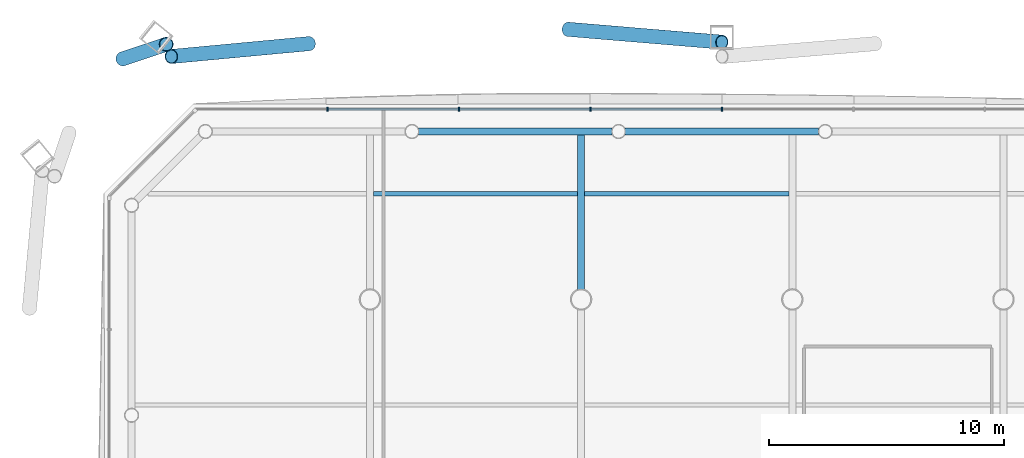
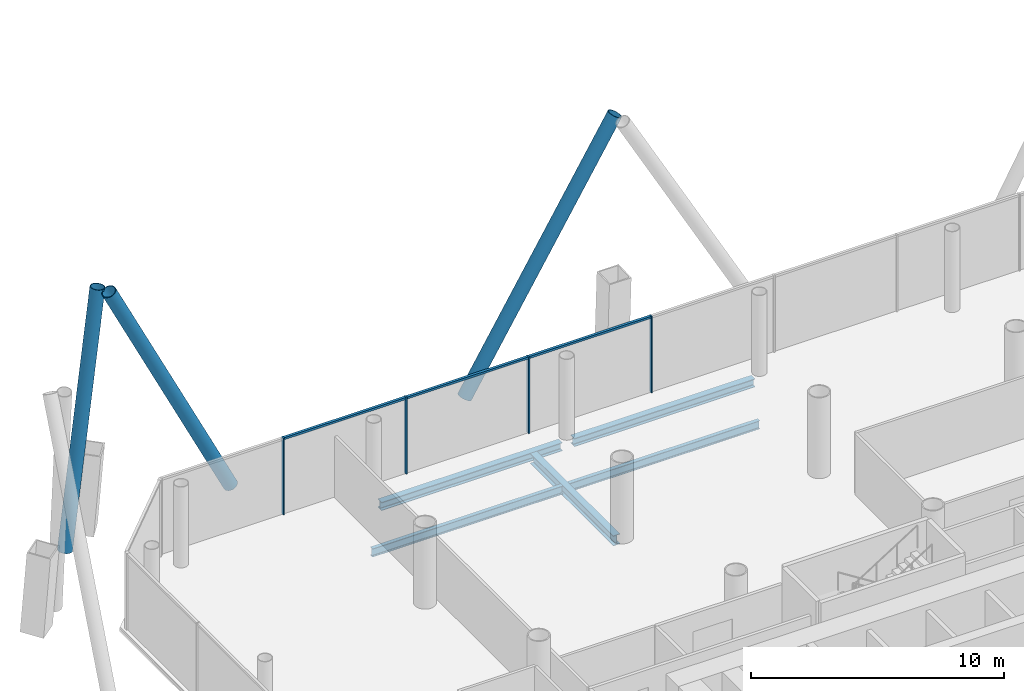
# One storey, part 9 of 21: 10 members, 5 beams, 1 element without a shape of its own.
"""IFC4 building model written with IfcOpenShell, lengths in metres."""

from ifc_helpers import new_model, si_unit, direction, frame, origin, origin_2d, place, context, subcontext, project, spatial, rectangle, hollow_circle, i_section, extrude, material, material_profile, profile_set, type_object, element, aggregate, save


model = new_model("IFC4")

# Units and contexts
model_context = context("Model", 3, precision=1e-05, world=origin(), true_north=direction((0.0, 1.0)))
body_context = subcontext(model_context, "Body", "Model", "MODEL_VIEW")
ifc_project = project(units=[si_unit("LENGTHUNIT", "METRE"), si_unit("AREAUNIT", "SQUARE_METRE"), si_unit("VOLUMEUNIT", "CUBIC_METRE"), si_unit("PLANEANGLEUNIT", "RADIAN"), si_unit("MASSUNIT", "GRAM", prefix="KILO")], contexts=[model_context])

# Site, building, storey
site_placement = place(None, origin())
site = spatial("IfcSite", under=ifc_project, at=site_placement, CompositionType="ELEMENT")
building_placement = place(site_placement, origin())
building = spatial("IfcBuilding", under=site, at=building_placement, Name="Tskaro Facet Tower", CompositionType="ELEMENT")
storey_placement = place(building_placement, frame((0.0, 0.0, 45.89990234375)))
storey = spatial("IfcBuildingStorey", under=building, at=storey_placement, Name="L10", CompositionType="ELEMENT", Elevation=45.89990234375)

# Members
ifc_material_1 = material(Name="Steel S355J2H", Category="steel")
ifc_material_profile_1 = material_profile(ifc_material_1, hollow_circle(Radius=0.304931640625, WallThickness=0.030029296875, at=origin_2d()), Name="CHS 610x30")
ifc_profile_set_1 = profile_set([ifc_material_profile_1], Name="Steel S355J2H")
member_type_1 = type_object("IfcMemberType", Name="CHS 610x30 brace", PredefinedType="BRACE", material=ifc_profile_set_1)
member_1_placement = place(storey_placement, frame((-20.59716796875, 28.90185546875, 0.0), z_axis=(-0.447776290032, -0.041821776194, 0.893167024202), x_axis=(0.092994089186, -0.995666660774, 0.0)))
element("IfcMember", 1, at=member_1_placement, inside=storey, type_object=member_type_1, Name="CHS 610x30 XB08A/1", PredefinedType="BRACE", context=body_context, shape_type="SweptSolid", body=[
    extrude(hollow_circle(Radius=0.304931640625, WallThickness=0.030029296875, at=origin_2d()), origin(), (0.0, 0.0, 1.0), 13.099609375),
])
member_2_placement = place(storey_placement, frame((-9.545166015625, 29.51171875, 0.0), z_axis=(0.487802287614, -0.040812433553, 0.871999583409), x_axis=(0.083374631246, 0.996518274225, 0.0)))
element("IfcMember", 2, at=member_2_placement, inside=storey, type_object=member_type_1, Name="CHS 610x30 XB08B/1", PredefinedType="BRACE", context=body_context, shape_type="SweptSolid", body=[
    extrude(hollow_circle(Radius=0.304931640625, WallThickness=0.030029296875, at=origin_2d()), origin(), (0.0, 0.0, 1.0), 13.417724609375),
])
member_3_placement = place(storey_placement, frame((-28.525390625, 28.255126953125, 0.0), z_axis=(0.155690426373, 0.052239860145, 0.986423584546), x_axis=(-0.318107211302, 0.948054746371, 0.0)))
element("IfcMember", 3, at=member_3_placement, inside=storey, type_object=member_type_1, Name="CHS 610x30 XB09B/1", PredefinedType="BRACE", context=body_context, shape_type="SweptSolid", body=[
    extrude(hollow_circle(Radius=0.304931640625, WallThickness=0.030029296875, at=origin_2d()), origin(), (0.0, 0.0, 1.0), 11.861328125),
])

# Curtain wall, members
ifc_material_2 = material(Name="Bronze anodised aluminium 6063-T6", Category="aluminium")
curtain_wall_type = type_object("IfcCurtainWallType", Name="Bronze office curtain wall (FW1)", PredefinedType="NOTDEFINED", material=ifc_material_2)
curtain_wall_placement = place(storey_placement, origin())
curtain_wall = element("IfcCurtainWall", 4, at=curtain_wall_placement, inside=storey, type_object=curtain_wall_type, Name="FW1 north facet L10", PredefinedType="NOTDEFINED")
ifc_material_profile_2 = material_profile(ifc_material_2, rectangle(XDim=0.06005859375, YDim=0.159912109375, at=origin_2d()), Name="Mullion 60x160")
ifc_profile_set_2 = profile_set([ifc_material_profile_2], Name="Bronze anodised aluminium 6063-T6")
member_type_2 = type_object("IfcMemberType", Name="FW1 bronze mullion 60x160", PredefinedType="MULLION", material=ifc_profile_set_2)
member_4_placement = place(storey_placement, frame((-3.0, 26.10693359375, 0.0), z_axis=(0.0, 0.0, 1.0), x_axis=(-1.0, 0.0, 0.0)))
member_4 = element("IfcMember", 5, at=member_4_placement, type_object=member_type_2, Name="FW1 north mullion 4", PredefinedType="MULLION", context=body_context, shape_type="SweptSolid", body=[
    extrude(rectangle(XDim=0.06005859375, YDim=0.159912109375, at=origin_2d()), origin(), (0.0, 0.0, 1.0), 3.7001953125),
])
member_5_placement = place(storey_placement, frame((-8.601318359375, 26.10693359375, 0.0), z_axis=(0.0, 0.0, 1.0), x_axis=(-1.0, 0.0, 0.0)))
member_5 = element("IfcMember", 6, at=member_5_placement, type_object=member_type_2, Name="FW1 north mullion 5", PredefinedType="MULLION", context=body_context, shape_type="SweptSolid", body=[
    extrude(rectangle(XDim=0.06005859375, YDim=0.159912109375, at=origin_2d()), origin(), (0.0, 0.0, 1.0), 3.7001953125),
])
member_6_placement = place(storey_placement, frame((-14.202392578125, 26.10693359375, 0.0), z_axis=(0.0, 0.0, 1.0), x_axis=(-1.0, 0.0, 0.0)))
member_6 = element("IfcMember", 7, at=member_6_placement, type_object=member_type_2, Name="FW1 north mullion 6", PredefinedType="MULLION", context=body_context, shape_type="SweptSolid", body=[
    extrude(rectangle(XDim=0.06005859375, YDim=0.159912109375, at=origin_2d()), origin(), (0.0, 0.0, 1.0), 3.7001953125),
])
member_7_placement = place(storey_placement, frame((-19.8037109375, 26.10693359375, 0.0), z_axis=(0.0, 0.0, 1.0), x_axis=(-1.0, 0.0, 0.0)))
member_7 = element("IfcMember", 8, at=member_7_placement, type_object=member_type_2, Name="FW1 north mullion 7", PredefinedType="MULLION", context=body_context, shape_type="SweptSolid", body=[
    extrude(rectangle(XDim=0.06005859375, YDim=0.159912109375, at=origin_2d()), origin(), (0.0, 0.0, 1.0), 3.7001953125),
])
ifc_material_profile_3 = material_profile(ifc_material_2, rectangle(XDim=0.1201171875, YDim=0.10009765625, at=origin_2d()), Name="Transom 120x100")
ifc_profile_set_3 = profile_set([ifc_material_profile_3], Name="Bronze anodised aluminium 6063-T6")
member_type_3 = type_object("IfcMemberType", Name="FW1 bronze transom 120x100", PredefinedType="USERDEFINED", material=ifc_profile_set_3)
member_8_placement = place(storey_placement, frame((-3.030029296875, 26.10693359375, 3.650146484375), z_axis=(-1.0, 0.0, 0.0), x_axis=(0.0, -1.0, 0.0)))
member_8 = element("IfcMember", 9, at=member_8_placement, type_object=member_type_3, Name="FW1 north transom 5.1", ObjectType="TRANSOM", PredefinedType="USERDEFINED", context=body_context, shape_type="SweptSolid", body=[
    extrude(rectangle(XDim=0.1201171875, YDim=0.10009765625, at=origin_2d()), origin(), (0.0, 0.0, 1.0), 5.541259765625),
])
member_9_placement = place(storey_placement, frame((-8.63134765625, 26.10693359375, 3.650146484375), z_axis=(-1.0, 0.0, 0.0), x_axis=(0.0, -1.0, 0.0)))
member_9 = element("IfcMember", 10, at=member_9_placement, type_object=member_type_3, Name="FW1 north transom 6.1", ObjectType="TRANSOM", PredefinedType="USERDEFINED", context=body_context, shape_type="SweptSolid", body=[
    extrude(rectangle(XDim=0.1201171875, YDim=0.10009765625, at=origin_2d()), origin(), (0.0, 0.0, 1.0), 5.541259765625),
])
member_10_placement = place(storey_placement, frame((-14.232421875, 26.10693359375, 3.650146484375), z_axis=(-1.0, 0.0, 0.0), x_axis=(0.0, -1.0, 0.0)))
member_10 = element("IfcMember", 11, at=member_10_placement, type_object=member_type_3, Name="FW1 north transom 7.1", ObjectType="TRANSOM", PredefinedType="USERDEFINED", context=body_context, shape_type="SweptSolid", body=[
    extrude(rectangle(XDim=0.1201171875, YDim=0.10009765625, at=origin_2d()), origin(), (0.0, 0.0, 1.0), 5.541259765625),
])
aggregate(curtain_wall, [member_4, member_5, member_6, member_7, member_8, member_9, member_10])

# Beams
ifc_material_3 = material(Name="Steel S355J2", Category="steel")
ifc_material_profile_4 = material_profile(ifc_material_3, i_section(OverallWidth=0.300048828125, OverallDepth=0.39990234375, WebThickness=0.013427734375, FlangeThickness=0.02392578125, FilletRadius=0.027099609375, at=origin_2d()), Name="HE 400 B")
ifc_profile_set_4 = profile_set([ifc_material_profile_4], Name="Steel S355J2")
beam_type_1 = type_object("IfcBeamType", Name="HE 400 B ring beam", PredefinedType="BEAM", material=ifc_profile_set_4)
beam_1_placement = place(storey_placement, frame((1.126953125, 25.156982421875, -0.33984375), z_axis=(-1.0, 0.0, 0.0), x_axis=(0.0, -1.0, 0.0)))
element("IfcBeam", 12, at=beam_1_placement, inside=storey, type_object=beam_type_1, Name="HE 400 B EB16-1", PredefinedType="BEAM", context=body_context, shape_type="SweptSolid", body=[
    extrude(i_section(OverallWidth=0.300048828125, OverallDepth=0.39990234375, WebThickness=0.013427734375, FlangeThickness=0.02392578125, FilletRadius=0.027099609375, at=origin_2d()), origin(), (0.0, 0.0, 1.0), 8.25390625),
])
beam_2_placement = place(storey_placement, frame((-7.677001953125, 25.156982421875, -0.33984375), z_axis=(-1.0, 0.0, 0.0), x_axis=(0.0, -1.0, 0.0)))
element("IfcBeam", 13, at=beam_2_placement, inside=storey, type_object=beam_type_1, Name="HE 400 B EB17-1", PredefinedType="BEAM", context=body_context, shape_type="SweptSolid", body=[
    extrude(i_section(OverallWidth=0.300048828125, OverallDepth=0.39990234375, WebThickness=0.013427734375, FlangeThickness=0.02392578125, FilletRadius=0.027099609375, at=origin_2d()), origin(), (0.0, 0.0, 1.0), 8.2548828125),
])
ifc_material_profile_5 = material_profile(ifc_material_3, i_section(OverallWidth=0.300048828125, OverallDepth=0.489990234375, WebThickness=0.011962890625, FlangeThickness=0.02294921875, FilletRadius=0.027099609375, at=origin_2d()), Name="HE 500 A")
ifc_profile_set_5 = profile_set([ifc_material_profile_5], Name="Steel S355J2")
beam_type_2 = type_object("IfcBeamType", Name="HE 500 A girder", PredefinedType="BEAM", material=ifc_profile_set_5)
beam_3_placement = place(storey_placement, frame((-9.0, 18.42724609375, -0.385009765625), z_axis=(0.0, 1.0, 0.0), x_axis=(-1.0, 0.0, 0.0)))
element("IfcBeam", 14, at=beam_3_placement, inside=storey, type_object=beam_type_2, Name="HE 500 A GB3-5-1", PredefinedType="BEAM", context=body_context, shape_type="SweptSolid", body=[
    extrude(i_section(OverallWidth=0.300048828125, OverallDepth=0.489990234375, WebThickness=0.011962890625, FlangeThickness=0.02294921875, FilletRadius=0.027099609375, at=origin_2d()), origin(), (0.0, 0.0, 1.0), 6.579833984375),
])
ifc_material_profile_6 = material_profile(ifc_material_3, i_section(OverallWidth=0.179931640625, OverallDepth=0.39990234375, WebThickness=0.008544921875, FlangeThickness=0.013427734375, FilletRadius=0.02099609375, at=origin_2d()), Name="IPE 400")
ifc_profile_set_6 = profile_set([ifc_material_profile_6], Name="Steel S355J2")
beam_type_3 = type_object("IfcBeamType", Name="IPE 400 secondary beam", PredefinedType="BEAM", material=ifc_profile_set_6)
for number, where, z_axis, x_axis, name in (
    (15, (-17.85009765625, 22.5, -0.33984375), (1.0, 0.0, 0.0), (0.0, 1.0, 0.0), "IPE 400 SB6a-2-1"),
    (16, (-8.85009765625, 22.5, -0.33984375), (1.0, 0.0, 0.0), (0.0, 1.0, 0.0), "IPE 400 SB6a-3-1"),
):
    element("IfcBeam", number, at=place(storey_placement, frame(where, z_axis=z_axis, x_axis=x_axis)), inside=storey, type_object=beam_type_3, Name=name, PredefinedType="BEAM", context=body_context, shape_type="SweptSolid", body=[
        extrude(i_section(OverallWidth=0.179931640625, OverallDepth=0.39990234375, WebThickness=0.008544921875, FlangeThickness=0.013427734375, FilletRadius=0.02099609375, at=origin_2d()), origin(), (0.0, 0.0, 1.0), 8.7001953125),
    ])

save(model, "model.ifc")
